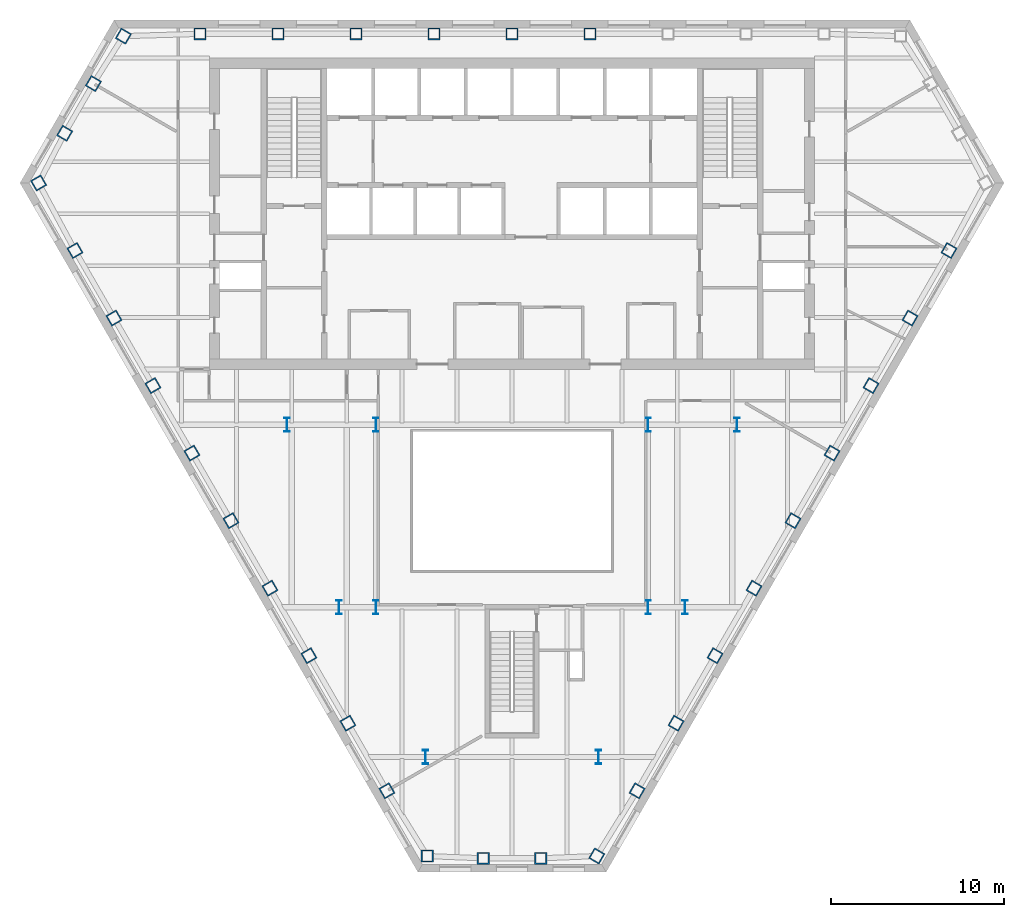
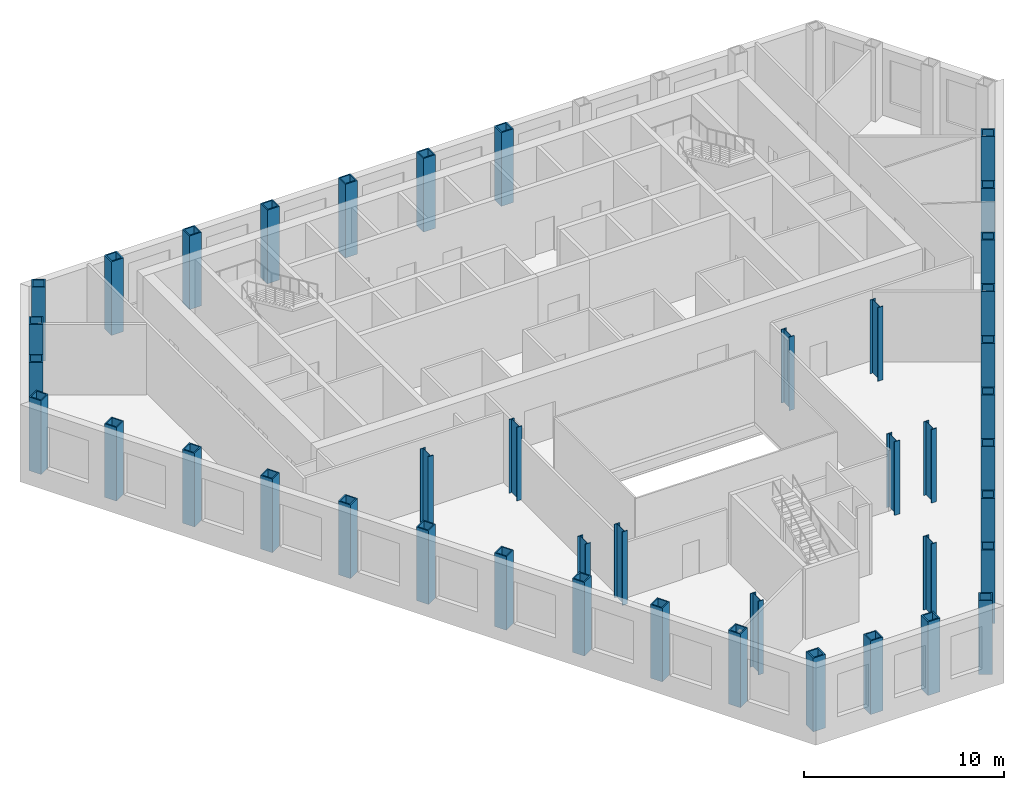
# One storey, part 1 of 10: 42 columns.
"""IFC4 building model written with IfcOpenShell, lengths in metres."""

from ifc_helpers import new_model, si_unit, direction, frame, origin, origin_2d, place, context, subcontext, project, spatial, hollow_rectangle, i_section, extrude, material, material_profile, profile_set, type_object, element, save


model = new_model("IFC4")

# Units and contexts
model_context = context("Model", 3, precision=1e-05, world=origin(), true_north=direction((0.0, 1.0)))
body_context = subcontext(model_context, "Body", "Model", "MODEL_VIEW")
ifc_project = project(units=[si_unit("LENGTHUNIT", "METRE"), si_unit("AREAUNIT", "SQUARE_METRE"), si_unit("VOLUMEUNIT", "CUBIC_METRE"), si_unit("PLANEANGLEUNIT", "RADIAN"), si_unit("MASSUNIT", "GRAM", prefix="KILO")], contexts=[model_context])

# Site, building, storey
site_placement = place(None, origin())
site = spatial("IfcSite", under=ifc_project, at=site_placement, CompositionType="ELEMENT")
building_placement = place(site_placement, origin())
building = spatial("IfcBuilding", under=site, at=building_placement, Name="Njiva Tower", CompositionType="ELEMENT")
storey_placement = place(building_placement, frame((0.0, 0.0, 73.8)))
storey = spatial("IfcBuildingStorey", under=building, at=storey_placement, Name="L15", CompositionType="ELEMENT", Elevation=73.8)

# Columns
ifc_material = material(Name="Steel S355 J2", Category="steel")
ifc_material_profile_1 = material_profile(ifc_material, hollow_rectangle(XDim=0.7, YDim=0.7, WallThickness=0.07, at=origin_2d()), Name="BOX 700x700x70")
ifc_profile_set_1 = profile_set([ifc_material_profile_1], Name="Steel S355 J2")
column_type_1 = type_object("IfcColumnType", Name="C5 Perimeter tube column BOX 700x700x70", PredefinedType="COLUMN", material=ifc_profile_set_1)
for number, where, z_axis, x_axis, name in (
    (1, (4.508, 19.4, 0.0), (0.0, 0.0, 1.0), (-1.0, 0.0, 0.0), "Perimeter tube column S05-C05"),
    (2, (0.0, 19.4, 0.0), (0.0, 0.0, 1.0), (-1.0, 0.0, 0.0), "Perimeter tube column S05-C06"),
    (3, (-4.508, 19.4, 0.0), (0.0, 0.0, 1.0), (-1.0, 0.0, 0.0), "Perimeter tube column S05-C07"),
    (4, (-9.015, 19.4, 0.0), (0.0, 0.0, 1.0), (-1.0, 0.0, 0.0), "Perimeter tube column S05-C08"),
    (5, (-13.523, 19.4, 0.0), (0.0, 0.0, 1.0), (-1.0, 0.0, 0.0), "Perimeter tube column S05-C09"),
    (6, (-18.03, 19.4, 0.0), (0.0, 0.0, 1.0), (-1.0, 0.0, 0.0), "Perimeter tube column S05-C10"),
    (7, (-22.461, 19.267, 0.0), (0.0, 0.0, 1.0), (-0.5, -0.866025403784, 0.0), "Perimeter tube column S05-C11"),
    (8, (-24.197, 16.526, 0.0), (0.0, 0.0, 1.0), (-0.5, -0.866025403784, 0.0), "Perimeter tube column S05-C12"),
    (9, (-25.857, 13.652, 0.0), (0.0, 0.0, 1.0), (-0.5, -0.866025403784, 0.0), "Perimeter tube column S05-C13"),
    (10, (-27.363, 10.778, 0.0), (0.0, 0.0, 1.0), (0.5, -0.866025403784, 0.0), "Perimeter tube column S05-C14"),
    (11, (-25.262, 6.874, 0.0), (0.0, 0.0, 1.0), (0.5, -0.866025403784, 0.0), "Perimeter tube column S05-C15"),
    (12, (-23.009, 2.97, 0.0), (0.0, 0.0, 1.0), (0.5, -0.866025403784, 0.0), "Perimeter tube column S05-C16"),
    (13, (-20.755, -0.934, 0.0), (0.0, 0.0, 1.0), (0.5, -0.866025403784, 0.0), "Perimeter tube column S05-C17"),
    (14, (-18.501, -4.837, 0.0), (0.0, 0.0, 1.0), (0.5, -0.866025403784, 0.0), "Perimeter tube column S05-C18"),
    (15, (-16.247, -8.741, 0.0), (0.0, 0.0, 1.0), (0.5, -0.866025403784, 0.0), "Perimeter tube column S05-C19"),
    (16, (-13.993, -12.645, 0.0), (0.0, 0.0, 1.0), (0.5, -0.866025403784, 0.0), "Perimeter tube column S05-C20"),
    (17, (-11.74, -16.548, 0.0), (0.0, 0.0, 1.0), (0.5, -0.866025403784, 0.0), "Perimeter tube column S05-C21"),
    (18, (-9.486, -20.452, 0.0), (0.0, 0.0, 1.0), (0.5, -0.866025403784, 0.0), "Perimeter tube column S05-C22"),
    (19, (-7.232, -24.356, 0.0), (0.0, 0.0, 1.0), (0.5, -0.866025403784, 0.0), "Perimeter tube column S05-C23"),
    (20, (-4.901, -28.126, 0.0), (0.0, 0.0, 1.0), (1.0, 0.0, 0.0), "Perimeter tube column S05-C24"),
    (21, (-1.659, -28.26, 0.0), (0.0, 0.0, 1.0), (1.0, 0.0, 0.0), "Perimeter tube column S05-C25"),
    (22, (1.659, -28.26, 0.0), (0.0, 0.0, 1.0), (1.0, 0.0, 0.0), "Perimeter tube column S05-C26"),
    (23, (4.901, -28.126, 0.0), (0.0, 0.0, 1.0), (0.5, 0.866025403784, 0.0), "Perimeter tube column S05-C27"),
    (24, (7.232, -24.356, 0.0), (0.0, 0.0, 1.0), (0.5, 0.866025403784, 0.0), "Perimeter tube column S05-C28"),
    (25, (9.486, -20.452, 0.0), (0.0, 0.0, 1.0), (0.5, 0.866025403784, 0.0), "Perimeter tube column S05-C29"),
    (26, (11.74, -16.548, 0.0), (0.0, 0.0, 1.0), (0.5, 0.866025403784, 0.0), "Perimeter tube column S05-C30"),
    (27, (13.993, -12.645, 0.0), (0.0, 0.0, 1.0), (0.5, 0.866025403784, 0.0), "Perimeter tube column S05-C31"),
    (28, (16.247, -8.741, 0.0), (0.0, 0.0, 1.0), (0.5, 0.866025403784, 0.0), "Perimeter tube column S05-C32"),
    (29, (18.501, -4.837, 0.0), (0.0, 0.0, 1.0), (0.5, 0.866025403784, 0.0), "Perimeter tube column S05-C33"),
    (30, (20.755, -0.934, 0.0), (0.0, 0.0, 1.0), (0.5, 0.866025403784, 0.0), "Perimeter tube column S05-C34"),
    (31, (23.009, 2.97, 0.0), (0.0, 0.0, 1.0), (0.5, 0.866025403784, 0.0), "Perimeter tube column S05-C35"),
    (32, (25.262, 6.874, 0.0), (0.0, 0.0, 1.0), (0.5, 0.866025403784, 0.0), "Perimeter tube column S05-C36"),
):
    element("IfcColumn", number, at=place(storey_placement, frame(where, z_axis=z_axis, x_axis=x_axis)), inside=storey, type_object=column_type_1, Name=name, PredefinedType="COLUMN", context=body_context, shape_type="SweptSolid", body=[
        extrude(hollow_rectangle(XDim=0.7, YDim=0.7, WallThickness=0.07, at=origin_2d()), origin(), (0.0, 0.0, 1.0), 4.5),
    ])
ifc_material_profile_2 = material_profile(ifc_material, i_section(OverallWidth=0.303, OverallDepth=0.814, WebThickness=0.021, FlangeThickness=0.04, at=origin_2d()), Name="HEM 800")
ifc_profile_set_2 = profile_set([ifc_material_profile_2], Name="Steel S355 J2")
column_type_2 = type_object("IfcColumnType", Name="C6 Interior column HEM 800", PredefinedType="COLUMN", material=ifc_profile_set_2)
for number, where, z_axis, x_axis, name in (
    (33, (7.87, -3.2, 0.0), (0.0, 0.0, 1.0), (1.0, 0.0, 0.0), "Interior column S05-C40"),
    (34, (-7.87, -3.2, 0.0), (0.0, 0.0, 1.0), (1.0, 0.0, 0.0), "Interior column S05-C41"),
    (35, (7.87, -13.75, 0.0), (0.0, 0.0, 1.0), (1.0, 0.0, 0.0), "Interior column S05-C42"),
    (36, (-7.87, -13.75, 0.0), (0.0, 0.0, 1.0), (1.0, 0.0, 0.0), "Interior column S05-C43"),
    (37, (5.0, -22.4, 0.0), (0.0, 0.0, 1.0), (1.0, 0.0, 0.0), "Interior column S05-C44"),
    (38, (-5.0, -22.4, 0.0), (0.0, 0.0, 1.0), (1.0, 0.0, 0.0), "Interior column S05-C45"),
    (39, (13.0, -3.2, 0.0), (0.0, 0.0, 1.0), (1.0, 0.0, 0.0), "Interior column S05-C46"),
    (40, (-13.0, -3.2, 0.0), (0.0, 0.0, 1.0), (1.0, 0.0, 0.0), "Interior column S05-C47"),
    (41, (10.0, -13.75, 0.0), (0.0, 0.0, 1.0), (1.0, 0.0, 0.0), "Interior column S05-C48"),
    (42, (-10.0, -13.75, 0.0), (0.0, 0.0, 1.0), (1.0, 0.0, 0.0), "Interior column S05-C49"),
):
    element("IfcColumn", number, at=place(storey_placement, frame(where, z_axis=z_axis, x_axis=x_axis)), inside=storey, type_object=column_type_2, Name=name, PredefinedType="COLUMN", context=body_context, shape_type="SweptSolid", body=[
        extrude(i_section(OverallWidth=0.303, OverallDepth=0.814, WebThickness=0.021, FlangeThickness=0.04, at=origin_2d()), origin(), (0.0, 0.0, 1.0), 4.5),
    ])

save(model, "model.ifc")
